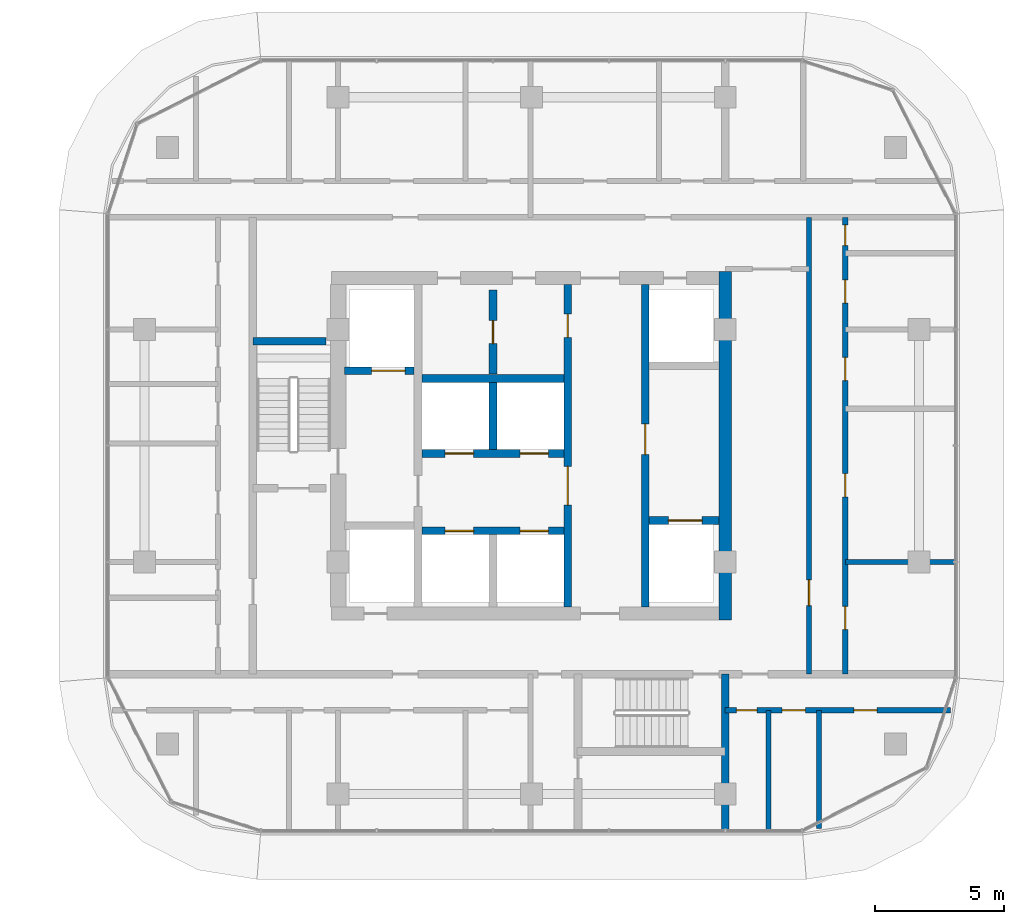
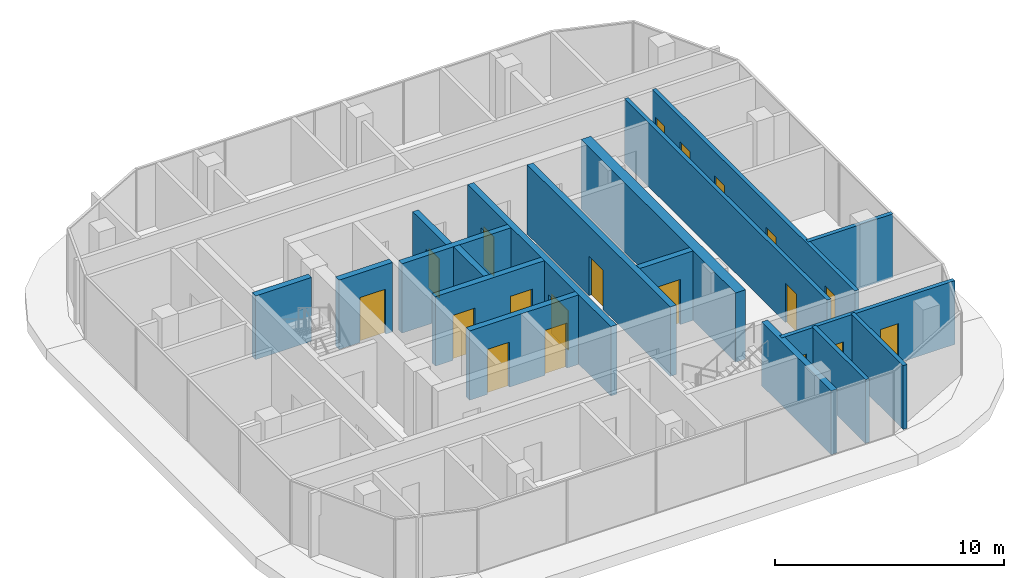
# One storey, part 23 of 36: 19 doors, 18 walls, 19 openings.
"""IFC4 building model written with IfcOpenShell, lengths in metres."""

from ifc_helpers import new_model, si_unit, direction, frame, frame_2d, origin, place, context, subcontext, project, spatial, rectangle, extrude, material, layer, layer_set, type_object, element, fill, save


model = new_model("IFC4")

# Units and contexts
model_context = context("Model", 3, precision=1e-05, world=origin(), true_north=direction((0.0, 1.0)))
body_context = subcontext(model_context, "Body", "Model", "MODEL_VIEW")
ifc_project = project(units=[si_unit("LENGTHUNIT", "METRE"), si_unit("AREAUNIT", "SQUARE_METRE"), si_unit("VOLUMEUNIT", "CUBIC_METRE"), si_unit("PLANEANGLEUNIT", "RADIAN"), si_unit("MASSUNIT", "GRAM", prefix="KILO")], contexts=[model_context])

# Site, building, storey
site_placement = place(None, origin())
site = spatial("IfcSite", under=ifc_project, at=site_placement, CompositionType="ELEMENT")
building_placement = place(site_placement, origin())
building = spatial("IfcBuilding", under=site, at=building_placement, Name="Ogive Portal Towers", CompositionType="ELEMENT")
storey_placement = place(building_placement, frame((0.0, 0.0, 70.5)))
storey = spatial("IfcBuildingStorey", under=building, at=storey_placement, Name="L16", CompositionType="ELEMENT", Elevation=70.5)

# Wall, openings, doors
ifc_material_1 = material(Name="Concrete C60/75", Category="concrete")
ifc_layer_1 = layer(ifc_material_1, 0.300048828125)
ifc_layer_set_1 = layer_set([ifc_layer_1], Name="CORE WALL 300 C60")
wall_type_1 = type_object("IfcWallType", Name="CORE WALL 300 C60", PredefinedType="SHEAR", material=ifc_layer_set_1)
wall_1_placement = place(storey_placement, frame((137.89990234375, 24.75, 0.0), z_axis=(0.0, 0.0, 1.0), x_axis=(0.0, 1.0, 0.0)))
wall_1 = element("IfcWall", 1, at=wall_1_placement, inside=storey, type_object=wall_type_1, Name="Tower B core wall BX2 L16", PredefinedType="SHEAR", context=body_context, shape_type="SweptSolid", body=[
    extrude(rectangle(XDim=12.5, YDim=0.300048828125, at=frame_2d((6.25, 0.0))), origin(), (0.0, 0.0, 1.0), 3.699951171875),
])
opening_1_placement = place(wall_1_placement, frame((3.949951171875, 0.0, 0.0)))
opening_1 = element("IfcOpeningElement", 2, at=opening_1_placement, cuts=wall_1, Name="Opening B05-041", PredefinedType="OPENING", context=body_context, shape_type="SweptSolid", body=[
    extrude(rectangle(XDim=1.5, YDim=2.10009765625, at=frame_2d((0.75, 1.050048828125))), frame((0.0, 0.16015625, 0.0), z_axis=(0.0, -1.0, 0.0), x_axis=(1.0, 0.0, 0.0)), (0.0, 0.0, 1.0), 0.320068359375),
])
opening_2_placement = place(wall_1_placement, frame((10.449951171875, 0.0, 0.0)))
opening_2 = element("IfcOpeningElement", 3, at=opening_2_placement, cuts=wall_1, Name="Opening B05-057", PredefinedType="OPENING", context=body_context, shape_type="SweptSolid", body=[
    extrude(rectangle(XDim=0.89990234375, YDim=2.10009765625, at=frame_2d((0.449951171875, 1.050048828125))), frame((0.0, 0.16015625, 0.0), z_axis=(0.0, -1.0, 0.0), x_axis=(1.0, 0.0, 0.0)), (0.0, 0.0, 1.0), 0.320068359375),
])
ifc_material_2 = material(Name="Steel fire door", Category="steel")
door_type_1 = type_object("IfcDoorType", Name="DT-SWING-1500x2100-FD90S", OperationType="SINGLE_SWING_LEFT", PredefinedType="DOOR", material=ifc_material_2)
door_1_placement = place(opening_1_placement, origin())
door_1 = element("IfcDoor", 4, at=door_1_placement, inside=storey, type_object=door_type_1, Name="Door B05-041", OperationType="SINGLE_SWING_RIGHT", OverallHeight=2.10009765625, OverallWidth=1.5, PredefinedType="DOOR", context=body_context, shape_type="SweptSolid", body=[
    extrude(rectangle(XDim=1.5, YDim=2.10009765625, at=frame_2d((0.75, 1.050048828125))), frame((0.0, 0.02490234375, 0.0), z_axis=(0.0, -1.0, 0.0), x_axis=(1.0, 0.0, 0.0)), (0.0, 0.0, 1.0), 0.050048828125),
])
fill(opening_1, door_1)
door_type_2 = type_object("IfcDoorType", Name="DT-SWING-900x2100-FD90S", OperationType="SINGLE_SWING_LEFT", PredefinedType="DOOR", material=ifc_material_2)
door_2_placement = place(opening_2_placement, origin())
door_2 = element("IfcDoor", 5, at=door_2_placement, inside=storey, type_object=door_type_2, Name="Door B05-057", OperationType="SINGLE_SWING_RIGHT", OverallHeight=2.10009765625, OverallWidth=0.89990234375, PredefinedType="DOOR", context=body_context, shape_type="SweptSolid", body=[
    extrude(rectangle(XDim=0.89990234375, YDim=2.10009765625, at=frame_2d((0.449951171875, 1.050048828125))), frame((0.0, 0.02490234375, 0.0), z_axis=(0.0, -1.0, 0.0), x_axis=(1.0, 0.0, 0.0)), (0.0, 0.0, 1.0), 0.050048828125),
])
fill(opening_2, door_2)

# Wall, opening, door
wall_2_placement = place(storey_placement, frame((140.89990234375, 24.75, 0.0), z_axis=(0.0, 0.0, 1.0), x_axis=(0.0, 1.0, 0.0)))
wall_2 = element("IfcWall", 6, at=wall_2_placement, inside=storey, type_object=wall_type_1, Name="Tower B core wall BX3 L16", PredefinedType="SHEAR", context=body_context, shape_type="SweptSolid", body=[
    extrude(rectangle(XDim=12.5, YDim=0.300048828125, at=frame_2d((6.25, 0.0))), origin(), (0.0, 0.0, 1.0), 3.699951171875),
])
opening_3_placement = place(wall_2_placement, frame((5.89990234375, 0.0, 0.0)))
opening_3 = element("IfcOpeningElement", 7, at=opening_3_placement, cuts=wall_2, Name="Opening B05-043", PredefinedType="OPENING", context=body_context, shape_type="SweptSolid", body=[
    extrude(rectangle(XDim=1.199951171875, YDim=2.10009765625, at=frame_2d((0.60009765625, 1.050048828125))), frame((0.0, 0.16015625, 0.0), z_axis=(0.0, -1.0, 0.0), x_axis=(1.0, 0.0, 0.0)), (0.0, 0.0, 1.0), 0.320068359375),
])
door_type_3 = type_object("IfcDoorType", Name="DT-SWING-1200x2100-FD90S", OperationType="SINGLE_SWING_LEFT", PredefinedType="DOOR", material=ifc_material_2)
door_3_placement = place(opening_3_placement, origin())
door_3 = element("IfcDoor", 8, at=door_3_placement, inside=storey, type_object=door_type_3, Name="Door B05-043", OperationType="SINGLE_SWING_RIGHT", OverallHeight=2.10009765625, OverallWidth=1.199951171875, PredefinedType="DOOR", context=body_context, shape_type="SweptSolid", body=[
    extrude(rectangle(XDim=1.199951171875, YDim=2.10009765625, at=frame_2d((0.60009765625, 1.050048828125))), frame((0.0, 0.02490234375, 0.0), z_axis=(0.0, -1.0, 0.0), x_axis=(1.0, 0.0, 0.0)), (0.0, 0.0, 1.0), 0.050048828125),
])
fill(opening_3, door_3)

# Wall
wall_3_placement = place(storey_placement, frame((135.0, 30.85009765625, 0.0), z_axis=(0.0, 0.0, 1.0), x_axis=(0.0, 1.0, 0.0)))
element("IfcWall", 9, at=wall_3_placement, inside=storey, type_object=wall_type_1, Name="Tower B core wall BX5 L16", PredefinedType="SHEAR", context=body_context, shape_type="SweptSolid", body=[
    extrude(rectangle(XDim=2.599853515625, YDim=0.300048828125, at=frame_2d((1.2998046875, 0.0))), origin(), (0.0, 0.0, 1.0), 3.699951171875),
])

# Wall, openings, doors
wall_4_placement = place(storey_placement, frame((132.25, 27.699951171875, 0.0), z_axis=(0.0, 0.0, 1.0), x_axis=(1.0, 0.0, 0.0)))
wall_4 = element("IfcWall", 10, at=wall_4_placement, inside=storey, type_object=wall_type_1, Name="Tower B core wall BY1 L16", PredefinedType="SHEAR", context=body_context, shape_type="SweptSolid", body=[
    extrude(rectangle(XDim=5.5, YDim=0.300048828125, at=frame_2d((2.75, 0.0))), origin(), (0.0, 0.0, 1.0), 3.699951171875),
])
opening_4_placement = place(wall_4_placement, frame((0.89990234375, 0.0, 0.0)))
opening_4 = element("IfcOpeningElement", 11, at=opening_4_placement, cuts=wall_4, Name="Opening B05-049", PredefinedType="OPENING", context=body_context, shape_type="SweptSolid", body=[
    extrude(rectangle(XDim=1.10009765625, YDim=2.39990234375, at=frame_2d((0.550048828125, 1.199951171875))), frame((0.0, 0.16015625, 0.0), z_axis=(0.0, -1.0, 0.0), x_axis=(1.0, 0.0, 0.0)), (0.0, 0.0, 1.0), 0.320068359375),
])
opening_5_placement = place(wall_4_placement, frame((3.800048828125, 0.0, 0.0)))
opening_5 = element("IfcOpeningElement", 12, at=opening_5_placement, cuts=wall_4, Name="Opening B05-050", PredefinedType="OPENING", context=body_context, shape_type="SweptSolid", body=[
    extrude(rectangle(XDim=1.10009765625, YDim=2.39990234375, at=frame_2d((0.550048828125, 1.199951171875))), frame((0.0, 0.16015625, 0.0), z_axis=(0.0, -1.0, 0.0), x_axis=(1.0, 0.0, 0.0)), (0.0, 0.0, 1.0), 0.320068359375),
])
ifc_material_3 = material(Name="Stainless steel", Category="steel")
door_type_4 = type_object("IfcDoorType", Name="DT-LD-1100x2400", OperationType="SLIDING_TO_LEFT", PredefinedType="DOOR", material=ifc_material_3)
door_4_placement = place(opening_4_placement, origin())
door_4 = element("IfcDoor", 13, at=door_4_placement, inside=storey, type_object=door_type_4, Name="Door B05-049", OperationType="SLIDING_TO_LEFT", OverallHeight=2.39990234375, OverallWidth=1.10009765625, PredefinedType="DOOR", context=body_context, shape_type="SweptSolid", body=[
    extrude(rectangle(XDim=1.10009765625, YDim=2.39990234375, at=frame_2d((0.550048828125, 1.199951171875))), frame((0.0, 0.02490234375, 0.0), z_axis=(0.0, -1.0, 0.0), x_axis=(1.0, 0.0, 0.0)), (0.0, 0.0, 1.0), 0.050048828125),
])
fill(opening_4, door_4)
door_5_placement = place(opening_5_placement, origin())
door_5 = element("IfcDoor", 14, at=door_5_placement, inside=storey, type_object=door_type_4, Name="Door B05-050", OperationType="SLIDING_TO_LEFT", OverallHeight=2.39990234375, OverallWidth=1.10009765625, PredefinedType="DOOR", context=body_context, shape_type="SweptSolid", body=[
    extrude(rectangle(XDim=1.10009765625, YDim=2.39990234375, at=frame_2d((0.550048828125, 1.199951171875))), frame((0.0, 0.02490234375, 0.0), z_axis=(0.0, -1.0, 0.0), x_axis=(1.0, 0.0, 0.0)), (0.0, 0.0, 1.0), 0.050048828125),
])
fill(opening_5, door_5)

wall_5_placement = place(storey_placement, frame((132.25, 30.699951171875, 0.0), z_axis=(0.0, 0.0, 1.0), x_axis=(1.0, 0.0, 0.0)))
wall_5 = element("IfcWall", 15, at=wall_5_placement, inside=storey, type_object=wall_type_1, Name="Tower B core wall BY2 L16", PredefinedType="SHEAR", context=body_context, shape_type="SweptSolid", body=[
    extrude(rectangle(XDim=5.5, YDim=0.300048828125, at=frame_2d((2.75, 0.0))), origin(), (0.0, 0.0, 1.0), 3.699951171875),
])
opening_6_placement = place(wall_5_placement, frame((0.89990234375, 0.0, 0.0)))
opening_6 = element("IfcOpeningElement", 16, at=opening_6_placement, cuts=wall_5, Name="Opening B05-051", PredefinedType="OPENING", context=body_context, shape_type="SweptSolid", body=[
    extrude(rectangle(XDim=1.10009765625, YDim=2.39990234375, at=frame_2d((0.550048828125, 1.199951171875))), frame((0.0, 0.16015625, 0.0), z_axis=(0.0, -1.0, 0.0), x_axis=(1.0, 0.0, 0.0)), (0.0, 0.0, 1.0), 0.320068359375),
])
opening_7_placement = place(wall_5_placement, frame((3.800048828125, 0.0, 0.0)))
opening_7 = element("IfcOpeningElement", 17, at=opening_7_placement, cuts=wall_5, Name="Opening B05-052", PredefinedType="OPENING", context=body_context, shape_type="SweptSolid", body=[
    extrude(rectangle(XDim=1.10009765625, YDim=2.39990234375, at=frame_2d((0.550048828125, 1.199951171875))), frame((0.0, 0.16015625, 0.0), z_axis=(0.0, -1.0, 0.0), x_axis=(1.0, 0.0, 0.0)), (0.0, 0.0, 1.0), 0.320068359375),
])
door_6_placement = place(opening_6_placement, origin())
door_6 = element("IfcDoor", 18, at=door_6_placement, inside=storey, type_object=door_type_4, Name="Door B05-051", OperationType="SLIDING_TO_LEFT", OverallHeight=2.39990234375, OverallWidth=1.10009765625, PredefinedType="DOOR", context=body_context, shape_type="SweptSolid", body=[
    extrude(rectangle(XDim=1.10009765625, YDim=2.39990234375, at=frame_2d((0.550048828125, 1.199951171875))), frame((0.0, 0.02490234375, 0.0), z_axis=(0.0, -1.0, 0.0), x_axis=(1.0, 0.0, 0.0)), (0.0, 0.0, 1.0), 0.050048828125),
])
fill(opening_6, door_6)
door_7_placement = place(opening_7_placement, origin())
door_7 = element("IfcDoor", 19, at=door_7_placement, inside=storey, type_object=door_type_4, Name="Door B05-052", OperationType="SLIDING_TO_LEFT", OverallHeight=2.39990234375, OverallWidth=1.10009765625, PredefinedType="DOOR", context=body_context, shape_type="SweptSolid", body=[
    extrude(rectangle(XDim=1.10009765625, YDim=2.39990234375, at=frame_2d((0.550048828125, 1.199951171875))), frame((0.0, 0.02490234375, 0.0), z_axis=(0.0, -1.0, 0.0), x_axis=(1.0, 0.0, 0.0)), (0.0, 0.0, 1.0), 0.050048828125),
])
fill(opening_7, door_7)

# Wall
wall_6_placement = place(storey_placement, frame((132.25, 33.60009765625, 0.0), z_axis=(0.0, 0.0, 1.0), x_axis=(1.0, 0.0, 0.0)))
element("IfcWall", 20, at=wall_6_placement, inside=storey, type_object=wall_type_1, Name="Tower B core wall BY3 L16", PredefinedType="SHEAR", context=body_context, shape_type="SweptSolid", body=[
    extrude(rectangle(XDim=5.5, YDim=0.300048828125, at=frame_2d((2.75, 0.0))), origin(), (0.0, 0.0, 1.0), 3.699951171875),
])

# Wall, opening, door
wall_7_placement = place(storey_placement, frame((129.25, 33.89990234375, 0.0), z_axis=(0.0, 0.0, 1.0), x_axis=(1.0, 0.0, 0.0)))
wall_7 = element("IfcWall", 21, at=wall_7_placement, inside=storey, type_object=wall_type_1, Name="Tower B core wall BY5 L16", PredefinedType="SHEAR", context=body_context, shape_type="SweptSolid", body=[
    extrude(rectangle(XDim=2.699951171875, YDim=0.300048828125, at=frame_2d((1.35009765625, 0.0))), origin(), (0.0, 0.0, 1.0), 3.699951171875),
])
opening_8_placement = place(wall_7_placement, frame((1.050048828125, 0.0, 0.0)))
opening_8 = element("IfcOpeningElement", 22, at=opening_8_placement, cuts=wall_7, Name="Opening B05-053", PredefinedType="OPENING", context=body_context, shape_type="SweptSolid", body=[
    extrude(rectangle(XDim=1.300048828125, YDim=2.39990234375, at=frame_2d((0.64990234375, 1.199951171875))), frame((0.0, 0.16015625, 0.0), z_axis=(0.0, -1.0, 0.0), x_axis=(1.0, 0.0, 0.0)), (0.0, 0.0, 1.0), 0.320068359375),
])
door_type_5 = type_object("IfcDoorType", Name="DT-LD-1300x2400", OperationType="SLIDING_TO_LEFT", PredefinedType="DOOR", material=ifc_material_3)
door_8_placement = place(opening_8_placement, origin())
door_8 = element("IfcDoor", 23, at=door_8_placement, inside=storey, type_object=door_type_5, Name="Door B05-053", OperationType="SLIDING_TO_LEFT", OverallHeight=2.39990234375, OverallWidth=1.300048828125, PredefinedType="DOOR", context=body_context, shape_type="SweptSolid", body=[
    extrude(rectangle(XDim=1.300048828125, YDim=2.39990234375, at=frame_2d((0.64990234375, 1.199951171875))), frame((0.0, 0.02490234375, 0.0), z_axis=(0.0, -1.0, 0.0), x_axis=(1.0, 0.0, 0.0)), (0.0, 0.0, 1.0), 0.050048828125),
])
fill(opening_8, door_8)

wall_8_placement = place(storey_placement, frame((141.050048828125, 28.10009765625, 0.0), z_axis=(0.0, 0.0, 1.0), x_axis=(1.0, 0.0, 0.0)))
wall_8 = element("IfcWall", 24, at=wall_8_placement, inside=storey, type_object=wall_type_1, Name="Tower B core wall BY6 L16", PredefinedType="SHEAR", context=body_context, shape_type="SweptSolid", body=[
    extrude(rectangle(XDim=2.699951171875, YDim=0.300048828125, at=frame_2d((1.35009765625, 0.0))), origin(), (0.0, 0.0, 1.0), 3.699951171875),
])
opening_9_placement = place(wall_8_placement, frame((0.75, 0.0, 0.0)))
opening_9 = element("IfcOpeningElement", 25, at=opening_9_placement, cuts=wall_8, Name="Opening B05-054", PredefinedType="OPENING", context=body_context, shape_type="SweptSolid", body=[
    extrude(rectangle(XDim=1.300048828125, YDim=2.39990234375, at=frame_2d((0.64990234375, 1.199951171875))), frame((0.0, 0.16015625, 0.0), z_axis=(0.0, -1.0, 0.0), x_axis=(1.0, 0.0, 0.0)), (0.0, 0.0, 1.0), 0.320068359375),
])
door_9_placement = place(opening_9_placement, origin())
door_9 = element("IfcDoor", 26, at=door_9_placement, inside=storey, type_object=door_type_5, Name="Door B05-054", OperationType="SLIDING_TO_LEFT", OverallHeight=2.39990234375, OverallWidth=1.300048828125, PredefinedType="DOOR", context=body_context, shape_type="SweptSolid", body=[
    extrude(rectangle(XDim=1.300048828125, YDim=2.39990234375, at=frame_2d((0.64990234375, 1.199951171875))), frame((0.0, 0.02490234375, 0.0), z_axis=(0.0, -1.0, 0.0), x_axis=(1.0, 0.0, 0.0)), (0.0, 0.0, 1.0), 0.050048828125),
])
fill(opening_9, door_9)

# Walls
ifc_layer_2 = layer(ifc_material_1, 0.5)
ifc_layer_set_2 = layer_set([ifc_layer_2], Name="CORE WALL 500 C60")
wall_type_2 = type_object("IfcWallType", Name="CORE WALL 500 C60", PredefinedType="SHEAR", material=ifc_layer_set_2)
wall_9_placement = place(storey_placement, frame((144.0, 24.25, 0.0), z_axis=(0.0, 0.0, 1.0), x_axis=(0.0, 1.0, 0.0)))
element("IfcWall", 27, at=wall_9_placement, inside=storey, type_object=wall_type_2, Name="Tower B core wall BE L16", PredefinedType="SHEAR", context=body_context, shape_type="SweptSolid", body=[
    extrude(rectangle(XDim=13.5, YDim=0.5, at=frame_2d((6.75, 0.0))), origin(), (0.0, 0.0, 1.0), 3.699951171875),
])
ifc_material_4 = material(Name="Concrete C50/60", Category="concrete")
ifc_layer_3 = layer(ifc_material_4, 0.300048828125)
ifc_layer_set_3 = layer_set([ifc_layer_3], Name="STAIR WALL 300 C50")
wall_type_3 = type_object("IfcWallType", Name="STAIR WALL 300 C50", PredefinedType="SHEAR", material=ifc_layer_set_3)
wall_10_placement = place(storey_placement, frame((125.699951171875, 35.050048828125, 0.0), z_axis=(0.0, 0.0, 1.0), x_axis=(1.0, 0.0, 0.0)))
element("IfcWall", 28, at=wall_10_placement, inside=storey, type_object=wall_type_3, Name="Stair wall ST-B1 L16", PredefinedType="SHEAR", context=body_context, shape_type="SweptSolid", body=[
    extrude(rectangle(XDim=2.830078125, YDim=0.300048828125, at=frame_2d((1.4150390625, 0.0))), origin(), (0.0, 0.0, 1.0), 3.39990234375),
])
wall_11_placement = place(storey_placement, frame((144.0, 16.070068359375, 0.0), z_axis=(0.0, 0.0, 1.0), x_axis=(0.0, 1.0, 0.0)))
element("IfcWall", 29, at=wall_11_placement, inside=storey, type_object=wall_type_3, Name="Stair wall ST-B2 L16", PredefinedType="SHEAR", context=body_context, shape_type="SweptSolid", body=[
    extrude(rectangle(XDim=6.079833984375, YDim=0.300048828125, at=frame_2d((3.0400390625, 0.0))), origin(), (0.0, 0.0, 1.0), 3.39990234375),
])

# Wall, openings, doors
ifc_material_5 = material(Name="Gypsum board partition on steel studs", Category="steel")
ifc_layer_4 = layer(ifc_material_5, 0.199951171875)
ifc_layer_set_4 = layer_set([ifc_layer_4], Name="WT-PART-200-EI 60")
wall_type_4 = type_object("IfcWallType", Name="WT-PART-200-EI 60", PredefinedType="PARTITIONING", material=ifc_layer_set_4)
wall_12_placement = place(storey_placement, frame((144.0, 20.75, 0.0), z_axis=(0.0, 0.0, 1.0), x_axis=(1.0, 0.0, 0.0)))
wall_12 = element("IfcWall", 30, at=wall_12_placement, inside=storey, type_object=wall_type_4, Name="Wall L16:w003", PredefinedType="PARTITIONING", context=body_context, shape_type="SweptSolid", body=[
    extrude(rectangle(XDim=8.73095703125, YDim=0.199951171875, at=frame_2d((4.365478515625, 0.0))), origin(), (0.0, 0.0, 1.0), 3.39990234375),
])
opening_10_placement = place(wall_12_placement, frame((0.43505859375, 0.0, 0.0)))
opening_10 = element("IfcOpeningElement", 31, at=opening_10_placement, cuts=wall_12, Name="Opening B05-023", PredefinedType="OPENING", context=body_context, shape_type="SweptSolid", body=[
    extrude(rectangle(XDim=0.800048828125, YDim=2.10009765625, at=frame_2d((0.39990234375, 1.050048828125))), frame((0.0, 0.10986328125, 0.0), z_axis=(0.0, -1.0, 0.0), x_axis=(1.0, 0.0, 0.0)), (0.0, 0.0, 1.0), 0.219970703125),
])
opening_11_placement = place(wall_12_placement, frame((2.201904296875, 0.0, 0.0)))
opening_11 = element("IfcOpeningElement", 32, at=opening_11_placement, cuts=wall_12, Name="Opening B05-024", PredefinedType="OPENING", context=body_context, shape_type="SweptSolid", body=[
    extrude(rectangle(XDim=0.89990234375, YDim=2.10009765625, at=frame_2d((0.449951171875, 1.050048828125))), frame((0.0, 0.10986328125, 0.0), z_axis=(0.0, -1.0, 0.0), x_axis=(1.0, 0.0, 0.0)), (0.0, 0.0, 1.0), 0.219970703125),
])
opening_12_placement = place(wall_12_placement, frame((4.98388671875, 0.0, 0.0)))
opening_12 = element("IfcOpeningElement", 33, at=opening_12_placement, cuts=wall_12, Name="Opening B05-025", PredefinedType="OPENING", context=body_context, shape_type="SweptSolid", body=[
    extrude(rectangle(XDim=0.89990234375, YDim=2.10009765625, at=frame_2d((0.449951171875, 1.050048828125))), frame((0.0, 0.10986328125, 0.0), z_axis=(0.0, -1.0, 0.0), x_axis=(1.0, 0.0, 0.0)), (0.0, 0.0, 1.0), 0.219970703125),
])
door_type_6 = type_object("IfcDoorType", Name="DT-SWING-800x2100-FD60S", OperationType="SINGLE_SWING_LEFT", PredefinedType="DOOR", material=ifc_material_2)
door_10_placement = place(opening_10_placement, origin())
door_10 = element("IfcDoor", 34, at=door_10_placement, inside=storey, type_object=door_type_6, Name="Door B05-023", OperationType="SINGLE_SWING_LEFT", OverallHeight=2.10009765625, OverallWidth=0.800048828125, PredefinedType="DOOR", context=body_context, shape_type="SweptSolid", body=[
    extrude(rectangle(XDim=0.800048828125, YDim=2.10009765625, at=frame_2d((0.39990234375, 1.050048828125))), frame((0.0, 0.02490234375, 0.0), z_axis=(0.0, -1.0, 0.0), x_axis=(1.0, 0.0, 0.0)), (0.0, 0.0, 1.0), 0.050048828125),
])
fill(opening_10, door_10)
door_type_7 = type_object("IfcDoorType", Name="DT-SWING-900x2100-FD60S", OperationType="SINGLE_SWING_LEFT", PredefinedType="DOOR", material=ifc_material_2)
door_11_placement = place(opening_11_placement, origin())
door_11 = element("IfcDoor", 35, at=door_11_placement, inside=storey, type_object=door_type_7, Name="Door B05-024", OperationType="SINGLE_SWING_RIGHT", OverallHeight=2.10009765625, OverallWidth=0.89990234375, PredefinedType="DOOR", context=body_context, shape_type="SweptSolid", body=[
    extrude(rectangle(XDim=0.89990234375, YDim=2.10009765625, at=frame_2d((0.449951171875, 1.050048828125))), frame((0.0, 0.02490234375, 0.0), z_axis=(0.0, -1.0, 0.0), x_axis=(1.0, 0.0, 0.0)), (0.0, 0.0, 1.0), 0.050048828125),
])
fill(opening_11, door_11)
door_12_placement = place(opening_12_placement, origin())
door_12 = element("IfcDoor", 36, at=door_12_placement, inside=storey, type_object=door_type_7, Name="Door B05-025", OperationType="SINGLE_SWING_LEFT", OverallHeight=2.10009765625, OverallWidth=0.89990234375, PredefinedType="DOOR", context=body_context, shape_type="SweptSolid", body=[
    extrude(rectangle(XDim=0.89990234375, YDim=2.10009765625, at=frame_2d((0.449951171875, 1.050048828125))), frame((0.0, 0.02490234375, 0.0), z_axis=(0.0, -1.0, 0.0), x_axis=(1.0, 0.0, 0.0)), (0.0, 0.0, 1.0), 0.050048828125),
])
fill(opening_12, door_12)

# Walls
wall_13_placement = place(storey_placement, frame((148.64990234375, 26.5, 0.0), z_axis=(0.0, 0.0, 1.0), x_axis=(1.0, 0.0, 0.0)))
element("IfcWall", 37, at=wall_13_placement, inside=storey, type_object=wall_type_4, Name="Wall L16:w009", PredefinedType="PARTITIONING", context=body_context, shape_type="SweptSolid", body=[
    extrude(rectangle(XDim=4.280029296875, YDim=0.199951171875, at=frame_2d((2.14013671875, 0.0))), origin(), (0.0, 0.0, 1.0), 3.39990234375),
])
wall_14_placement = place(storey_placement, frame((145.669921875, 16.070068359375, 0.0), z_axis=(0.0, 0.0, 1.0), x_axis=(0.0, 1.0, 0.0)))
element("IfcWall", 38, at=wall_14_placement, inside=storey, type_object=wall_type_4, Name="Wall L16:w043", PredefinedType="PARTITIONING", context=body_context, shape_type="SweptSolid", body=[
    extrude(rectangle(XDim=4.679931640625, YDim=0.199951171875, at=frame_2d((2.33984375, 0.0))), origin(), (0.0, 0.0, 1.0), 3.39990234375),
])

# Wall, opening, door
wall_15_placement = place(storey_placement, frame((147.25, 22.14990234375, 0.0), z_axis=(0.0, 0.0, 1.0), x_axis=(0.0, 1.0, 0.0)))
wall_15 = element("IfcWall", 39, at=wall_15_placement, inside=storey, type_object=wall_type_4, Name="Wall L16:w045", PredefinedType="PARTITIONING", context=body_context, shape_type="SweptSolid", body=[
    extrude(rectangle(XDim=17.7001953125, YDim=0.199951171875, at=frame_2d((8.85009765625, 0.0))), origin(), (0.0, 0.0, 1.0), 3.39990234375),
])
opening_13_placement = place(wall_15_placement, frame((2.64990234375, 0.0, 0.0)))
opening_13 = element("IfcOpeningElement", 40, at=opening_13_placement, cuts=wall_15, Name="Opening B05-035", PredefinedType="OPENING", context=body_context, shape_type="SweptSolid", body=[
    extrude(rectangle(XDim=1.0, YDim=2.10009765625, at=frame_2d((0.5, 1.050048828125))), frame((0.0, 0.10986328125, 0.0), z_axis=(0.0, -1.0, 0.0), x_axis=(1.0, 0.0, 0.0)), (0.0, 0.0, 1.0), 0.219970703125),
])
door_type_8 = type_object("IfcDoorType", Name="DT-SWING-1000x2100-FD60S", OperationType="SINGLE_SWING_LEFT", PredefinedType="DOOR", material=ifc_material_2)
door_13_placement = place(opening_13_placement, origin())
door_13 = element("IfcDoor", 41, at=door_13_placement, inside=storey, type_object=door_type_8, Name="Door B05-035", OperationType="SINGLE_SWING_LEFT", OverallHeight=2.10009765625, OverallWidth=1.0, PredefinedType="DOOR", context=body_context, shape_type="SweptSolid", body=[
    extrude(rectangle(XDim=1.0, YDim=2.10009765625, at=frame_2d((0.5, 1.050048828125))), frame((0.0, 0.02490234375, 0.0), z_axis=(0.0, -1.0, 0.0), x_axis=(1.0, 0.0, 0.0)), (0.0, 0.0, 1.0), 0.050048828125),
])
fill(opening_13, door_13)

# Wall
wall_16_placement = place(storey_placement, frame((147.633056640625, 16.1708984375, 0.0), z_axis=(0.0, 0.0, 1.0), x_axis=(0.0, 1.0, 0.0)))
element("IfcWall", 42, at=wall_16_placement, inside=storey, type_object=wall_type_4, Name="Wall L16:w046", PredefinedType="PARTITIONING", context=body_context, shape_type="SweptSolid", body=[
    extrude(rectangle(XDim=4.5791015625, YDim=0.199951171875, at=frame_2d((2.28955078125, 0.0))), origin(), (0.0, 0.0, 1.0), 3.39990234375),
])

# Wall, openings, doors
wall_17_placement = place(storey_placement, frame((148.64990234375, 22.14990234375, 0.0), z_axis=(0.0, 0.0, 1.0), x_axis=(0.0, 1.0, 0.0)))
wall_17 = element("IfcWall", 43, at=wall_17_placement, inside=storey, type_object=wall_type_4, Name="Wall L16:w047", PredefinedType="PARTITIONING", context=body_context, shape_type="SweptSolid", body=[
    extrude(rectangle(XDim=17.7001953125, YDim=0.199951171875, at=frame_2d((8.85009765625, 0.0))), origin(), (0.0, 0.0, 1.0), 3.39990234375),
])
opening_14_placement = place(wall_17_placement, frame((1.72509765625, 0.0, 0.0)))
opening_14 = element("IfcOpeningElement", 44, at=opening_14_placement, cuts=wall_17, Name="Opening B05-036", PredefinedType="OPENING", context=body_context, shape_type="SweptSolid", body=[
    extrude(rectangle(XDim=0.89990234375, YDim=2.10009765625, at=frame_2d((0.449951171875, 1.050048828125))), frame((0.0, 0.10986328125, 0.0), z_axis=(0.0, -1.0, 0.0), x_axis=(1.0, 0.0, 0.0)), (0.0, 0.0, 1.0), 0.219970703125),
])
opening_15_placement = place(wall_17_placement, frame((6.866943359375, 0.0, 0.0)))
opening_15 = element("IfcOpeningElement", 45, at=opening_15_placement, cuts=wall_17, Name="Opening B05-037", PredefinedType="OPENING", context=body_context, shape_type="SweptSolid", body=[
    extrude(rectangle(XDim=0.89990234375, YDim=2.10009765625, at=frame_2d((0.449951171875, 1.050048828125))), frame((0.0, 0.10986328125, 0.0), z_axis=(0.0, -1.0, 0.0), x_axis=(1.0, 0.0, 0.0)), (0.0, 0.0, 1.0), 0.219970703125),
])
opening_16_placement = place(wall_17_placement, frame((11.366943359375, 0.0, 0.0)))
opening_16 = element("IfcOpeningElement", 46, at=opening_16_placement, cuts=wall_17, Name="Opening B05-038", PredefinedType="OPENING", context=body_context, shape_type="SweptSolid", body=[
    extrude(rectangle(XDim=0.89990234375, YDim=2.10009765625, at=frame_2d((0.449951171875, 1.050048828125))), frame((0.0, 0.10986328125, 0.0), z_axis=(0.0, -1.0, 0.0), x_axis=(1.0, 0.0, 0.0)), (0.0, 0.0, 1.0), 0.219970703125),
])
opening_17_placement = place(wall_17_placement, frame((14.3779296875, 0.0, 0.0)))
opening_17 = element("IfcOpeningElement", 47, at=opening_17_placement, cuts=wall_17, Name="Opening B05-039", PredefinedType="OPENING", context=body_context, shape_type="SweptSolid", body=[
    extrude(rectangle(XDim=0.89990234375, YDim=2.10009765625, at=frame_2d((0.449951171875, 1.050048828125))), frame((0.0, 0.10986328125, 0.0), z_axis=(0.0, -1.0, 0.0), x_axis=(1.0, 0.0, 0.0)), (0.0, 0.0, 1.0), 0.219970703125),
])
opening_18_placement = place(wall_17_placement, frame((16.60302734375, 0.0, 0.0)))
opening_18 = element("IfcOpeningElement", 48, at=opening_18_placement, cuts=wall_17, Name="Opening B05-040", PredefinedType="OPENING", context=body_context, shape_type="SweptSolid", body=[
    extrude(rectangle(XDim=0.800048828125, YDim=2.10009765625, at=frame_2d((0.39990234375, 1.050048828125))), frame((0.0, 0.10986328125, 0.0), z_axis=(0.0, -1.0, 0.0), x_axis=(1.0, 0.0, 0.0)), (0.0, 0.0, 1.0), 0.219970703125),
])
door_14_placement = place(opening_18_placement, origin())
door_14 = element("IfcDoor", 49, at=door_14_placement, inside=storey, type_object=door_type_6, Name="Door B05-040", OperationType="SINGLE_SWING_RIGHT", OverallHeight=2.10009765625, OverallWidth=0.800048828125, PredefinedType="DOOR", context=body_context, shape_type="SweptSolid", body=[
    extrude(rectangle(XDim=0.800048828125, YDim=2.10009765625, at=frame_2d((0.39990234375, 1.050048828125))), frame((0.0, 0.02490234375, 0.0), z_axis=(0.0, -1.0, 0.0), x_axis=(1.0, 0.0, 0.0)), (0.0, 0.0, 1.0), 0.050048828125),
])
fill(opening_18, door_14)
door_15_placement = place(opening_14_placement, origin())
door_15 = element("IfcDoor", 50, at=door_15_placement, inside=storey, type_object=door_type_7, Name="Door B05-036", OperationType="SINGLE_SWING_RIGHT", OverallHeight=2.10009765625, OverallWidth=0.89990234375, PredefinedType="DOOR", context=body_context, shape_type="SweptSolid", body=[
    extrude(rectangle(XDim=0.89990234375, YDim=2.10009765625, at=frame_2d((0.449951171875, 1.050048828125))), frame((0.0, 0.02490234375, 0.0), z_axis=(0.0, -1.0, 0.0), x_axis=(1.0, 0.0, 0.0)), (0.0, 0.0, 1.0), 0.050048828125),
])
fill(opening_14, door_15)
door_16_placement = place(opening_15_placement, origin())
door_16 = element("IfcDoor", 51, at=door_16_placement, inside=storey, type_object=door_type_7, Name="Door B05-037", OperationType="SINGLE_SWING_LEFT", OverallHeight=2.10009765625, OverallWidth=0.89990234375, PredefinedType="DOOR", context=body_context, shape_type="SweptSolid", body=[
    extrude(rectangle(XDim=0.89990234375, YDim=2.10009765625, at=frame_2d((0.449951171875, 1.050048828125))), frame((0.0, 0.02490234375, 0.0), z_axis=(0.0, -1.0, 0.0), x_axis=(1.0, 0.0, 0.0)), (0.0, 0.0, 1.0), 0.050048828125),
])
fill(opening_15, door_16)
door_17_placement = place(opening_16_placement, origin())
door_17 = element("IfcDoor", 52, at=door_17_placement, inside=storey, type_object=door_type_7, Name="Door B05-038", OperationType="SINGLE_SWING_RIGHT", OverallHeight=2.10009765625, OverallWidth=0.89990234375, PredefinedType="DOOR", context=body_context, shape_type="SweptSolid", body=[
    extrude(rectangle(XDim=0.89990234375, YDim=2.10009765625, at=frame_2d((0.449951171875, 1.050048828125))), frame((0.0, 0.02490234375, 0.0), z_axis=(0.0, -1.0, 0.0), x_axis=(1.0, 0.0, 0.0)), (0.0, 0.0, 1.0), 0.050048828125),
])
fill(opening_16, door_17)
door_18_placement = place(opening_17_placement, origin())
door_18 = element("IfcDoor", 53, at=door_18_placement, inside=storey, type_object=door_type_7, Name="Door B05-039", OperationType="SINGLE_SWING_LEFT", OverallHeight=2.10009765625, OverallWidth=0.89990234375, PredefinedType="DOOR", context=body_context, shape_type="SweptSolid", body=[
    extrude(rectangle(XDim=0.89990234375, YDim=2.10009765625, at=frame_2d((0.449951171875, 1.050048828125))), frame((0.0, 0.02490234375, 0.0), z_axis=(0.0, -1.0, 0.0), x_axis=(1.0, 0.0, 0.0)), (0.0, 0.0, 1.0), 0.050048828125),
])
fill(opening_17, door_18)

# Wall, opening, door
ifc_layer_5 = layer(ifc_material_5, 0.300048828125)
ifc_layer_set_5 = layer_set([ifc_layer_5], Name="WT-PART-300-EI 120")
wall_type_5 = type_object("IfcWallType", Name="WT-PART-300-EI 120", PredefinedType="PARTITIONING", material=ifc_layer_set_5)
wall_18_placement = place(storey_placement, frame((135.0, 33.77001953125, 0.0), z_axis=(0.0, 0.0, 1.0), x_axis=(0.0, 1.0, 0.0)))
wall_18 = element("IfcWall", 54, at=wall_18_placement, inside=storey, type_object=wall_type_5, Name="Wall L16:w034", PredefinedType="PARTITIONING", context=body_context, shape_type="SweptSolid", body=[
    extrude(rectangle(XDim=3.260009765625, YDim=0.300048828125, at=frame_2d((1.6298828125, 0.0))), origin(), (0.0, 0.0, 1.0), 3.39990234375),
])
opening_19_placement = place(wall_18_placement, frame((1.179931640625, 0.0, 0.0)))
opening_19 = element("IfcOpeningElement", 55, at=opening_19_placement, cuts=wall_18, Name="Opening B05-004", PredefinedType="OPENING", context=body_context, shape_type="SweptSolid", body=[
    extrude(rectangle(XDim=0.89990234375, YDim=2.10009765625, at=frame_2d((0.449951171875, 1.050048828125))), frame((0.0, 0.16015625, 0.0), z_axis=(0.0, -1.0, 0.0), x_axis=(1.0, 0.0, 0.0)), (0.0, 0.0, 1.0), 0.320068359375),
])
door_19_placement = place(opening_19_placement, origin())
door_19 = element("IfcDoor", 56, at=door_19_placement, inside=storey, type_object=door_type_2, Name="Door B05-004", OperationType="SINGLE_SWING_RIGHT", OverallHeight=2.10009765625, OverallWidth=0.89990234375, PredefinedType="DOOR", context=body_context, shape_type="SweptSolid", body=[
    extrude(rectangle(XDim=0.89990234375, YDim=2.10009765625, at=frame_2d((0.449951171875, 1.050048828125))), frame((0.0, 0.02490234375, 0.0), z_axis=(0.0, -1.0, 0.0), x_axis=(1.0, 0.0, 0.0)), (0.0, 0.0, 1.0), 0.050048828125),
])
fill(opening_19, door_19)

save(model, "model.ifc")
